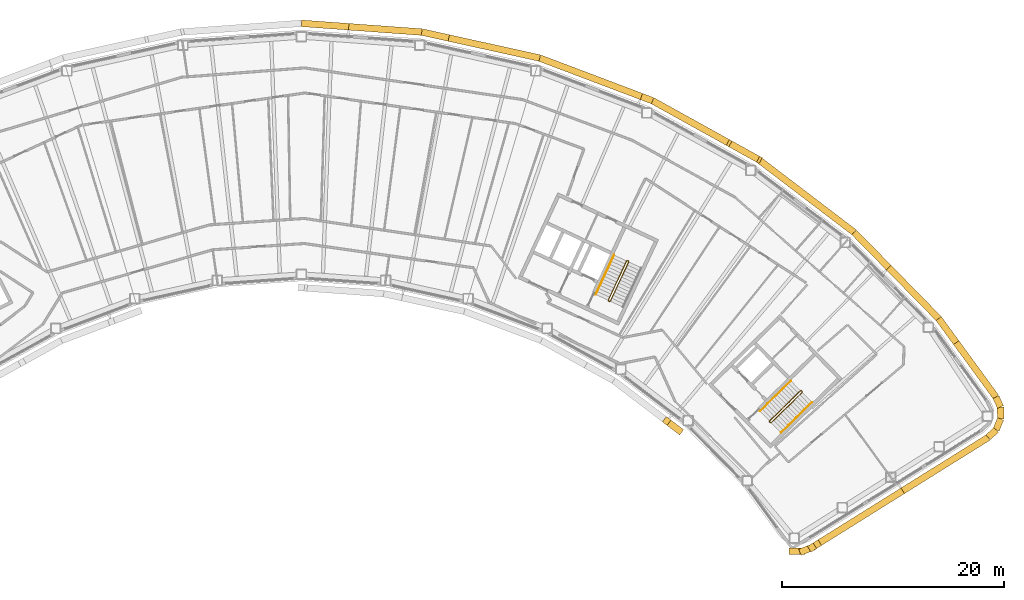
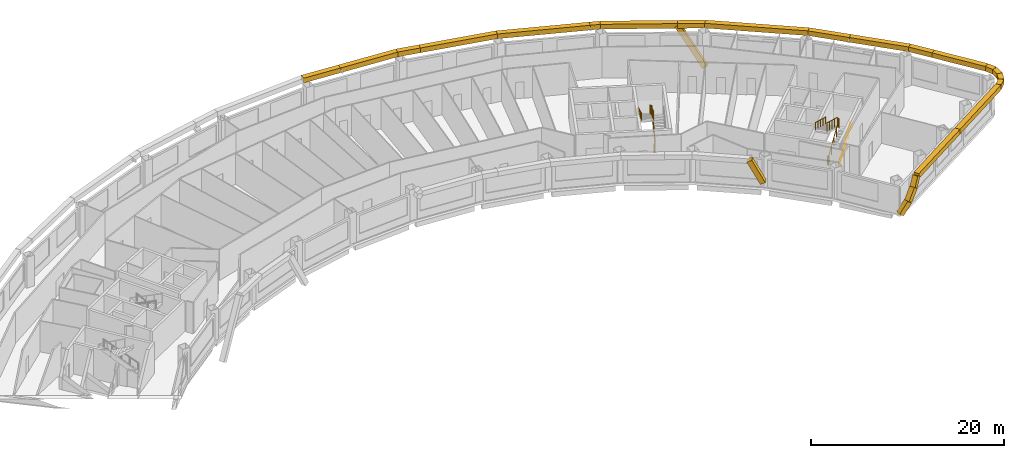
# One storey, part 16 of 17: 24 coverings, 5 railings.
"""IFC4 building model written with IfcOpenShell, lengths in metres."""

from ifc_helpers import new_model, si_unit, direction, frame, origin, origin_2d, place, context, subcontext, project, spatial, rectangle, circle, extrude, material, material_profile, profile_set, type_object, element, save


model = new_model("IFC4")

# Units and contexts
model_context = context("Model", 3, precision=1e-05, world=origin(), true_north=direction((0.0, 1.0)))
body_context = subcontext(model_context, "Body", "Model", "MODEL_VIEW")
ifc_project = project(units=[si_unit("LENGTHUNIT", "METRE"), si_unit("AREAUNIT", "SQUARE_METRE"), si_unit("VOLUMEUNIT", "CUBIC_METRE"), si_unit("PLANEANGLEUNIT", "RADIAN"), si_unit("MASSUNIT", "GRAM", prefix="KILO")], contexts=[model_context])

# Site, building, storey
site_placement = place(None, origin())
site = spatial("IfcSite", under=ifc_project, at=site_placement, CompositionType="ELEMENT")
building_placement = place(site_placement, origin())
building = spatial("IfcBuilding", under=site, at=building_placement, Name="Tuul Gate Civic Tower", CompositionType="ELEMENT")
storey_placement = place(building_placement, frame((0.0, 0.0, 222.10009765625)))
storey = spatial("IfcBuildingStorey", under=building, at=storey_placement, Name="Level 50", CompositionType="ELEMENT", Elevation=222.10009765625)

# Railings
ifc_material_1 = material(Name="Painted steel", Category="steel")
railing_type_1 = type_object("IfcRailingType", Name="Stair guard", PredefinedType="GUARDRAIL", material=ifc_material_1)
railing_1_placement = place(storey_placement, frame((48.10546875, -16.134765625, 0.0)))
element("IfcRailing", 1, at=railing_1_placement, inside=storey, type_object=railing_type_1, Name="Level 50 ST-3 stair guard 1", PredefinedType="GUARDRAIL", context=body_context, shape_type="SweptSolid", body=[
    extrude(circle(Radius=0.02392578125, at=origin_2d()), frame((0.0, 0.0, 1.076171875), z_axis=(-0.698506948293, 0.715603272202, 0.0), x_axis=(-0.715603272202, -0.698506948293, 0.0)), (0.0, 0.0, 1.0), 0.099853515625),
    extrude(circle(Radius=0.02392578125, at=origin_2d()), frame((-0.06982421875, 0.071533203125, 1.076171875), z_axis=(0.645446321009, -0.331687692741, 0.688027849131), x_axis=(0.457068866502, 0.889431307788, 0.0)), (0.0, 0.0, 1.0), 0.2177734375),
    extrude(circle(Radius=0.02392578125, at=origin_2d()), frame((0.07080078125, -0.000732421875, 1.22607421875), z_axis=(0.638731261263, 0.626133563701, 0.447190268558), x_axis=(-0.700029477518, 0.714113947914, 0.0)), (0.0, 0.0, 1.0), 4.3603515625),
    extrude(circle(Radius=0.02392578125, at=origin_2d()), frame((2.85595703125, 2.7294921875, 3.17578125), z_axis=(0.010380063588, 0.999946125689, 0.0), x_axis=(-0.999946125689, 0.010380063588, 0.0)), (0.0, 0.0, 1.0), 0.070556640625),
    extrude(circle(Radius=0.02392578125, at=origin_2d()), frame((2.856689453125, 2.800048828125, 3.17578125), z_axis=(-0.699754442181, 0.714383454909, 0.0), x_axis=(-0.714383454909, -0.699754442181, 0.0)), (0.0, 0.0, 1.0), 0.10009765625),
    extrude(circle(Radius=0.02392578125, at=origin_2d()), frame((2.78662109375, 2.87158203125, 3.17578125), z_axis=(-0.426501027327, 0.004412079593, 0.904476316574), x_axis=(-0.010344274102, -0.999946496565, 0.0)), (0.0, 0.0, 1.0), 0.166015625),
    extrude(circle(Radius=0.02392578125, at=origin_2d()), frame((2.7158203125, 2.872314453125, 3.326171875), z_axis=(-0.638731261263, -0.626133563701, 0.447190268558), x_axis=(0.700029477518, -0.714113947914, 0.0)), (0.0, 0.0, 1.0), 4.3603515625),
    extrude(circle(Radius=0.02099609375, at=origin_2d()), origin(), (0.0, 0.0, 1.0), 1.052001953125),
    extrude(circle(Radius=0.02099609375, at=origin_2d()), frame((-0.06982421875, 0.071533203125, 0.0)), (0.0, 0.0, 1.0), 1.052001953125),
    extrude(circle(Radius=0.02099609375, at=origin_2d()), frame((0.07080078125, -0.000732421875, 0.14990234375)), (0.0, 0.0, 1.0), 1.052001953125),
    extrude(circle(Radius=0.02099609375, at=origin_2d()), frame((0.76708984375, 0.681884765625, 0.637451171875)), (0.0, 0.0, 1.0), 1.052001953125),
    extrude(circle(Radius=0.02099609375, at=origin_2d()), frame((1.46337890625, 1.3642578125, 1.125)), (0.0, 0.0, 1.0), 1.052001953125),
    extrude(circle(Radius=0.02099609375, at=origin_2d()), frame((2.15966796875, 2.046875, 1.6123046875)), (0.0, 0.0, 1.0), 1.052001953125),
    extrude(circle(Radius=0.02099609375, at=origin_2d()), frame((2.85595703125, 2.7294921875, 2.099853515625)), (0.0, 0.0, 1.0), 1.052001953125),
    extrude(circle(Radius=0.02099609375, at=origin_2d()), frame((2.856689453125, 2.800048828125, 2.099853515625)), (0.0, 0.0, 1.0), 1.052001953125),
    extrude(circle(Radius=0.02099609375, at=origin_2d()), frame((2.78662109375, 2.87158203125, 2.099853515625)), (0.0, 0.0, 1.0), 1.052001953125),
    extrude(circle(Radius=0.02099609375, at=origin_2d()), frame((2.7158203125, 2.872314453125, 2.25)), (0.0, 0.0, 1.0), 1.052001953125),
    extrude(circle(Radius=0.02099609375, at=origin_2d()), frame((2.01953125, 2.189697265625, 2.737548828125)), (0.0, 0.0, 1.0), 1.052001953125),
    extrude(circle(Radius=0.02099609375, at=origin_2d()), frame((1.3232421875, 1.50732421875, 3.22509765625)), (0.0, 0.0, 1.0), 1.052001953125),
    extrude(circle(Radius=0.02099609375, at=origin_2d()), frame((0.626953125, 0.82470703125, 3.71240234375)), (0.0, 0.0, 1.0), 1.052001953125),
    extrude(circle(Radius=0.02099609375, at=origin_2d()), frame((-0.0693359375, 0.14208984375, 4.199951171875)), (0.0, 0.0, 1.0), 1.052001953125),
])
railing_2_placement = place(storey_placement, frame((33.645751953125, -5.238525390625, 0.0)))
element("IfcRailing", 2, at=railing_2_placement, inside=storey, type_object=railing_type_1, Name="Level 50 ST-4 stair guard 1", PredefinedType="GUARDRAIL", context=body_context, shape_type="SweptSolid", body=[
    extrude(circle(Radius=0.02392578125, at=origin_2d()), frame((0.0, 0.0, 1.076171875), z_axis=(-0.906307919131, 0.422617978463, 0.0), x_axis=(-0.422617978463, -0.906307919131, 0.0)), (0.0, 0.0, 1.0), 0.099853515625),
    extrude(circle(Radius=0.02392578125, at=origin_2d()), frame((-0.090576171875, 0.042236328125, 1.076171875), z_axis=(0.720735628292, -0.082946246491, 0.688229666829), x_axis=(0.114330889033, 0.993442724979, 0.0)), (0.0, 0.0, 1.0), 0.2177734375),
    extrude(circle(Radius=0.02392578125, at=origin_2d()), frame((0.06640625, 0.024169921875, 1.22607421875), z_axis=(0.377946903738, 0.810654114417, 0.447209173356), x_axis=(-0.906336612539, 0.422556439746, 0.0)), (0.0, 0.0, 1.0), 4.3603515625),
    extrude(circle(Radius=0.02392578125, at=origin_2d()), frame((1.71435546875, 3.558837890625, 3.17578125), z_axis=(-0.342020437038, 0.939692513883, 0.0), x_axis=(-0.939692513883, -0.342020437038, 0.0)), (0.0, 0.0, 1.0), 0.070556640625),
    extrude(circle(Radius=0.02392578125, at=origin_2d()), frame((1.690185546875, 3.625244140625, 3.17578125), z_axis=(-0.906307919131, 0.422617978463, 0.0), x_axis=(-0.422617978463, -0.906307919131, 0.0)), (0.0, 0.0, 1.0), 0.099853515625),
    extrude(circle(Radius=0.02392578125, at=origin_2d()), frame((1.599609375, 3.66748046875, 3.17578125), z_axis=(-0.400168791901, -0.145649670582, 0.904793408159), x_axis=(0.342020437038, -0.939692513883, 0.0)), (0.0, 0.0, 1.0), 0.166015625),
    extrude(circle(Radius=0.02392578125, at=origin_2d()), frame((1.533203125, 3.643310546875, 3.326171875), z_axis=(-0.377946903738, -0.810654114417, 0.447209173356), x_axis=(0.906336612539, -0.422556439746, 0.0)), (0.0, 0.0, 1.0), 4.3603515625),
    extrude(circle(Radius=0.02099609375, at=origin_2d()), origin(), (0.0, 0.0, 1.0), 1.052001953125),
    extrude(circle(Radius=0.02099609375, at=origin_2d()), frame((-0.090576171875, 0.042236328125, 0.0)), (0.0, 0.0, 1.0), 1.052001953125),
    extrude(circle(Radius=0.02099609375, at=origin_2d()), frame((0.06640625, 0.024169921875, 0.14990234375)), (0.0, 0.0, 1.0), 1.052001953125),
    extrude(circle(Radius=0.02099609375, at=origin_2d()), frame((0.478515625, 0.90771484375, 0.637451171875)), (0.0, 0.0, 1.0), 1.052001953125),
    extrude(circle(Radius=0.02099609375, at=origin_2d()), frame((0.890380859375, 1.79150390625, 1.125)), (0.0, 0.0, 1.0), 1.052001953125),
    extrude(circle(Radius=0.02099609375, at=origin_2d()), frame((1.30224609375, 2.67529296875, 1.6123046875)), (0.0, 0.0, 1.0), 1.052001953125),
    extrude(circle(Radius=0.02099609375, at=origin_2d()), frame((1.71435546875, 3.558837890625, 2.099853515625)), (0.0, 0.0, 1.0), 1.052001953125),
    extrude(circle(Radius=0.02099609375, at=origin_2d()), frame((1.690185546875, 3.625244140625, 2.099853515625)), (0.0, 0.0, 1.0), 1.052001953125),
    extrude(circle(Radius=0.02099609375, at=origin_2d()), frame((1.599609375, 3.66748046875, 2.099853515625)), (0.0, 0.0, 1.0), 1.052001953125),
    extrude(circle(Radius=0.02099609375, at=origin_2d()), frame((1.533203125, 3.643310546875, 2.25)), (0.0, 0.0, 1.0), 1.052001953125),
    extrude(circle(Radius=0.02099609375, at=origin_2d()), frame((1.12109375, 2.759765625, 2.737548828125)), (0.0, 0.0, 1.0), 1.052001953125),
    extrude(circle(Radius=0.02099609375, at=origin_2d()), frame((0.709228515625, 1.8759765625, 3.22509765625)), (0.0, 0.0, 1.0), 1.052001953125),
    extrude(circle(Radius=0.02099609375, at=origin_2d()), frame((0.29736328125, 0.9921875, 3.71240234375)), (0.0, 0.0, 1.0), 1.052001953125),
    extrude(circle(Radius=0.02099609375, at=origin_2d()), frame((-0.11474609375, 0.108642578125, 4.199951171875)), (0.0, 0.0, 1.0), 1.052001953125),
])
ifc_material_2 = material(Name="Painted steel", Category="steel")
railing_type_2 = type_object("IfcRailingType", Name="Stair handrail", PredefinedType="HANDRAIL", material=ifc_material_2)
railing_3_placement = place(storey_placement, frame((49.05126953125, -17.028076171875, 0.14990234375)))
element("IfcRailing", 3, at=railing_3_placement, inside=storey, type_object=railing_type_2, Name="Level 50 ST-3 stair handrail 1", PredefinedType="HANDRAIL", context=body_context, shape_type="SweptSolid", body=[
    extrude(circle(Radius=0.02392578125, at=origin_2d()), frame((0.0, 0.0, 0.8759765625), z_axis=(0.638753653487, 0.626099522554, 0.447205945863), x_axis=(-0.699997553204, 0.714145241186, 0.0)), (0.0, 0.0, 1.0), 4.3603515625),
    extrude(circle(Radius=0.02099609375, at=origin_2d()), origin(), (0.0, 0.0, 1.0), 0.851806640625),
    extrude(circle(Radius=0.02099609375, at=origin_2d()), frame((0.6962890625, 0.6826171875, 0.487548828125)), (0.0, 0.0, 1.0), 0.851806640625),
    extrude(circle(Radius=0.02099609375, at=origin_2d()), frame((1.392578125, 1.364990234375, 0.97509765625)), (0.0, 0.0, 1.0), 0.851806640625),
    extrude(circle(Radius=0.02099609375, at=origin_2d()), frame((2.0888671875, 2.04736328125, 1.46240234375)), (0.0, 0.0, 1.0), 0.851806640625),
    extrude(circle(Radius=0.02099609375, at=origin_2d()), frame((2.78515625, 2.72998046875, 1.949951171875)), (0.0, 0.0, 1.0), 0.851806640625),
])
railing_4_placement = place(storey_placement, frame((49.9462890625, -12.369873046875, 2.25)))
element("IfcRailing", 4, at=railing_4_placement, inside=storey, type_object=railing_type_2, Name="Level 50 ST-3 stair handrail 2", PredefinedType="HANDRAIL", context=body_context, shape_type="SweptSolid", body=[
    extrude(circle(Radius=0.02392578125, at=origin_2d()), frame((0.0, 0.0, 0.8759765625), z_axis=(-0.638753653487, -0.626099522554, 0.447205945863), x_axis=(0.699997553204, -0.714145241186, 0.0)), (0.0, 0.0, 1.0), 4.3603515625),
    extrude(circle(Radius=0.02099609375, at=origin_2d()), origin(), (0.0, 0.0, 1.0), 0.851806640625),
    extrude(circle(Radius=0.02099609375, at=origin_2d()), frame((-0.6962890625, -0.6826171875, 0.487548828125)), (0.0, 0.0, 1.0), 0.851806640625),
    extrude(circle(Radius=0.02099609375, at=origin_2d()), frame((-1.392578125, -1.364990234375, 0.97509765625)), (0.0, 0.0, 1.0), 0.851806640625),
    extrude(circle(Radius=0.02099609375, at=origin_2d()), frame((-2.0888671875, -2.04736328125, 1.46240234375)), (0.0, 0.0, 1.0), 0.851806640625),
    extrude(circle(Radius=0.02099609375, at=origin_2d()), frame((-2.78515625, -2.72998046875, 1.949951171875)), (0.0, 0.0, 1.0), 0.851806640625),
])
railing_5_placement = place(storey_placement, frame((34.046142578125, -1.06689453125, 2.25)))
element("IfcRailing", 5, at=railing_5_placement, inside=storey, type_object=railing_type_2, Name="Level 50 ST-4 stair handrail 2", PredefinedType="HANDRAIL", context=body_context, shape_type="SweptSolid", body=[
    extrude(circle(Radius=0.02392578125, at=origin_2d()), frame((0.0, 0.0, 0.8759765625), z_axis=(-0.377994896215, -0.810636958585, 0.447199709091), x_axis=(0.906312636903, -0.422607861012, 0.0)), (0.0, 0.0, 1.0), 4.3603515625),
    extrude(circle(Radius=0.02099609375, at=origin_2d()), origin(), (0.0, 0.0, 1.0), 0.851806640625),
    extrude(circle(Radius=0.02099609375, at=origin_2d()), frame((-0.412109375, -0.8837890625, 0.487548828125)), (0.0, 0.0, 1.0), 0.851806640625),
    extrude(circle(Radius=0.02099609375, at=origin_2d()), frame((-0.82421875, -1.767333984375, 0.97509765625)), (0.0, 0.0, 1.0), 0.851806640625),
    extrude(circle(Radius=0.02099609375, at=origin_2d()), frame((-1.236083984375, -2.65087890625, 1.46240234375)), (0.0, 0.0, 1.0), 0.851806640625),
    extrude(circle(Radius=0.02099609375, at=origin_2d()), frame((-1.648193359375, -3.53466796875, 1.949951171875)), (0.0, 0.0, 1.0), 0.851806640625),
])

# Coverings
ifc_material_3 = material(Name="Terracotta baguette", Category="masonry")
ifc_material_profile = material_profile(ifc_material_3, rectangle(XDim=0.60009765625, YDim=0.60009765625, at=origin_2d()), Name="Terracotta baguette screen frame")
ifc_profile_set = profile_set([ifc_material_profile], Name="Terracotta baguette")
covering_type = type_object("IfcCoveringType", Name="Terracotta baguette screen frame", PredefinedType="CLADDING", material=ifc_profile_set)
covering_1_placement = place(storey_placement, frame((64.810302734375, -8.93701171875, 3.849853515625), z_axis=(-0.589822441222, 0.807532963928, 0.0), x_axis=(-0.807532963928, -0.589822441222, 0.0)))
element("IfcCovering", 6, at=covering_1_placement, inside=storey, type_object=covering_type, Name="Baguette 23", PredefinedType="CLADDING", context=body_context, shape_type="SweptSolid", body=[
    extrude(rectangle(XDim=0.60009765625, YDim=0.60009765625, at=origin_2d()), origin(), (0.0, 0.0, 1.0), 2.68017578125),
])
covering_2_placement = place(storey_placement, frame((63.2294921875, -6.772705078125, 3.849853515625), z_axis=(-0.700001676443, 0.714141199607, 0.0), x_axis=(-0.714141199607, -0.700001676443, 0.0)))
element("IfcCovering", 7, at=covering_2_placement, inside=storey, type_object=covering_type, Name="Baguette 24", PredefinedType="CLADDING", context=body_context, shape_type="SweptSolid", body=[
    extrude(rectangle(XDim=0.60009765625, YDim=0.60009765625, at=origin_2d()), origin(), (0.0, 0.0, 1.0), 6.406005859375),
])
covering_3_placement = place(storey_placement, frame((47.0, 7.550537109375, -1.423828125), z_axis=(-0.415569789545, 0.230392347546, 0.879898355613), x_axis=(-0.484871200152, -0.874585570006, 0.0)))
element("IfcCovering", 8, at=covering_3_placement, inside=storey, type_object=covering_type, Name="Baguette 40", PredefinedType="CLADDING", context=body_context, shape_type="SweptSolid", body=[
    extrude(rectangle(XDim=0.60009765625, YDim=0.60009765625, at=origin_2d()), origin(), (0.0, 0.0, 1.0), 5.993408203125),
])
covering_4_placement = place(storey_placement, frame((44.50927734375, 8.931396484375, 3.849853515625), z_axis=(-0.874641739175, 0.484769871272, 0.0), x_axis=(-0.484769871272, -0.874641739175, 0.0)))
element("IfcCovering", 9, at=covering_4_placement, inside=storey, type_object=covering_type, Name="Baguette 47", PredefinedType="CLADDING", context=body_context, shape_type="SweptSolid", body=[
    extrude(rectangle(XDim=0.60009765625, YDim=0.60009765625, at=origin_2d()), origin(), (0.0, 0.0, 1.0), 8.003662109375),
])
covering_5_placement = place(storey_placement, frame((37.509033203125, 12.811279296875, 3.849853515625), z_axis=(-0.935396556142, 0.353600456388, 0.0), x_axis=(-0.353600456388, -0.935396556142, 0.0)))
element("IfcCovering", 10, at=covering_5_placement, inside=storey, type_object=covering_type, Name="Baguette 48", PredefinedType="CLADDING", context=body_context, shape_type="SweptSolid", body=[
    extrude(rectangle(XDim=0.60009765625, YDim=0.60009765625, at=origin_2d()), origin(), (0.0, 0.0, 1.0), 1.06884765625),
])
covering_6_placement = place(storey_placement, frame((19.192626953125, 18.448486328125, 3.849853515625), z_axis=(-0.976559571442, 0.215247307589, 0.0), x_axis=(-0.215247307589, -0.976559571442, 0.0)))
element("IfcCovering", 11, at=covering_6_placement, inside=storey, type_object=covering_type, Name="Baguette 65", PredefinedType="CLADDING", context=body_context, shape_type="SweptSolid", body=[
    extrude(rectangle(XDim=0.60009765625, YDim=0.60009765625, at=origin_2d()), origin(), (0.0, 0.0, 1.0), 2.488525390625),
])
covering_7_placement = place(storey_placement, frame((16.762451171875, 18.984130859375, 3.849853515625), z_axis=(-0.997382277304, 0.072309009954, 0.0), x_axis=(-0.072309009954, -0.997382277304, 0.0)))
element("IfcCovering", 12, at=covering_7_placement, inside=storey, type_object=covering_type, Name="Baguette 66", PredefinedType="CLADDING", context=body_context, shape_type="SweptSolid", body=[
    extrude(rectangle(XDim=0.60009765625, YDim=0.60009765625, at=origin_2d()), origin(), (0.0, 0.0, 1.0), 6.583984375),
])
covering_8_placement = place(storey_placement, frame((38.781005859375, -15.979736328125, 3.849853515625), z_axis=(0.370846574446, -0.282423796319, -0.884708775527), x_axis=(0.605872211995, 0.79556197919, 0.0)))
element("IfcCovering", 13, at=covering_8_placement, inside=storey, type_object=covering_type, Name="Baguette 246", PredefinedType="CLADDING", context=body_context, shape_type="SweptSolid", body=[
    extrude(rectangle(XDim=0.60009765625, YDim=0.60009765625, at=origin_2d()), origin(), (0.0, 0.0, 1.0), 3.04541015625),
])
covering_9_placement = place(storey_placement, frame((50.010498046875, -27.692626953125, 0.177734375), z_axis=(0.602680418248, -0.001662775169, 0.797980919972), x_axis=(0.002758956141, 0.999996194073, 0.0)))
element("IfcCovering", 14, at=covering_9_placement, inside=storey, type_object=covering_type, Name="Baguette 267", PredefinedType="CLADDING", context=body_context, shape_type="SweptSolid", body=[
    extrude(rectangle(XDim=0.60009765625, YDim=0.60009765625, at=origin_2d()), origin(), (0.0, 0.0, 1.0), 1.614990234375),
])
covering_10_placement = place(storey_placement, frame((50.98388671875, -27.6953125, 1.466552734375), z_axis=(0.534095784882, 0.207893679057, 0.819464404828), x_axis=(-0.362733847194, 0.93189278144, 0.0)))
element("IfcCovering", 15, at=covering_10_placement, inside=storey, type_object=covering_type, Name="Baguette 268", PredefinedType="CLADDING", context=body_context, shape_type="SweptSolid", body=[
    extrude(rectangle(XDim=0.60009765625, YDim=0.60009765625, at=origin_2d()), origin(), (0.0, 0.0, 1.0), 1.572509765625),
])
covering_11_placement = place(storey_placement, frame((51.82373046875, -27.368408203125, 2.755126953125), z_axis=(0.402262870713, 0.25148791478, 0.880305862508), x_axis=(-0.530110528821, 0.847928550783, 0.0)))
element("IfcCovering", 16, at=covering_11_placement, inside=storey, type_object=covering_type, Name="Baguette 269", PredefinedType="CLADDING", context=body_context, shape_type="SweptSolid", body=[
    extrude(rectangle(XDim=0.60009765625, YDim=0.60009765625, at=origin_2d()), origin(), (0.0, 0.0, 1.0), 1.24365234375),
])
for number, where, z_axis, x_axis, name in (
    (17, (52.323974609375, -27.0556640625, 3.849853515625), (0.848051326016, 0.529914095342, 0.0), (-0.529914095342, 0.848051326016, 0.0), "Baguette 283"),
    (18, (60.00146484375, -22.25830078125, 3.849853515625), (0.848063445072, 0.529894700042, 0.0), (-0.529894700042, 0.848063445072, 0.0), "Baguette 285"),
):
    element("IfcCovering", number, at=place(storey_placement, frame(where, z_axis=z_axis, x_axis=x_axis)), inside=storey, type_object=covering_type, Name=name, PredefinedType="CLADDING", context=body_context, shape_type="SweptSolid", body=[
        extrude(rectangle(XDim=0.60009765625, YDim=0.60009765625, at=origin_2d()), origin(), (0.0, 0.0, 1.0), 9.052978515625),
    ])
covering_12_placement = place(storey_placement, frame((67.678955078125, -17.461181640625, 3.849853515625), z_axis=(0.72214250975, 0.691744313755, 0.0), x_axis=(-0.691744313755, 0.72214250975, 0.0)))
element("IfcCovering", 19, at=covering_12_placement, inside=storey, type_object=covering_type, Name="Baguette 286", PredefinedType="CLADDING", context=body_context, shape_type="SweptSolid", body=[
    extrude(rectangle(XDim=0.60009765625, YDim=0.60009765625, at=origin_2d()), origin(), (0.0, 0.0, 1.0), 0.98779296875),
])
covering_13_placement = place(storey_placement, frame((68.392333984375, -16.77783203125, 3.849853515625), z_axis=(0.386870941786, 0.922133870109, 0.0), x_axis=(-0.922133870109, 0.386870941786, 0.0)))
element("IfcCovering", 20, at=covering_13_placement, inside=storey, type_object=covering_type, Name="Baguette 287", PredefinedType="CLADDING", context=body_context, shape_type="SweptSolid", body=[
    extrude(rectangle(XDim=0.60009765625, YDim=0.60009765625, at=origin_2d()), origin(), (0.0, 0.0, 1.0), 1.06787109375),
])
covering_14_placement = place(storey_placement, frame((68.805419921875, -15.793212890625, 3.849853515625), z_axis=(-0.01602358356, 0.999871614143, 0.0), x_axis=(-0.999871614143, -0.01602358356, 0.0)))
element("IfcCovering", 21, at=covering_14_placement, inside=storey, type_object=covering_type, Name="Baguette 288", PredefinedType="CLADDING", context=body_context, shape_type="SweptSolid", body=[
    extrude(rectangle(XDim=0.60009765625, YDim=0.60009765625, at=origin_2d()), origin(), (0.0, 0.0, 1.0), 1.066650390625),
])
covering_15_placement = place(storey_placement, frame((68.788330078125, -14.726806640625, 3.849853515625), z_axis=(-0.411884607508, 0.911236012292, 0.0), x_axis=(-0.911236012292, -0.411884607508, 0.0)))
element("IfcCovering", 22, at=covering_15_placement, inside=storey, type_object=covering_type, Name="Baguette 289", PredefinedType="CLADDING", context=body_context, shape_type="SweptSolid", body=[
    extrude(rectangle(XDim=0.60009765625, YDim=0.60009765625, at=origin_2d()), origin(), (0.0, 0.0, 1.0), 0.988037109375),
])
covering_16_placement = place(storey_placement, frame((68.38134765625, -13.826416015625, 3.849853515625), z_axis=(-0.58980325004, 0.807546980827, 0.0), x_axis=(-0.807546980827, -0.58980325004, 0.0)))
element("IfcCovering", 23, at=covering_16_placement, inside=storey, type_object=covering_type, Name="Baguette 290", PredefinedType="CLADDING", context=body_context, shape_type="SweptSolid", body=[
    extrude(rectangle(XDim=0.60009765625, YDim=0.60009765625, at=origin_2d()), origin(), (0.0, 0.0, 1.0), 6.0546875),
])
covering_17_placement = place(storey_placement, frame((58.745361328125, -2.197998046875, 3.849853515625), z_axis=(-0.699986848634, 0.714155733534, 0.0), x_axis=(-0.714155733534, -0.699986848634, 0.0)))
element("IfcCovering", 24, at=covering_17_placement, inside=storey, type_object=covering_type, Name="Baguette 291", PredefinedType="CLADDING", context=body_context, shape_type="SweptSolid", body=[
    extrude(rectangle(XDim=0.60009765625, YDim=0.60009765625, at=origin_2d()), origin(), (0.0, 0.0, 1.0), 4.445556640625),
])
covering_18_placement = place(storey_placement, frame((55.633544921875, 0.976806640625, 3.849853515625), z_axis=(-0.795618643442, 0.605797799771, 0.0), x_axis=(-0.605797799771, -0.795618643442, 0.0)))
element("IfcCovering", 25, at=covering_18_placement, inside=storey, type_object=covering_type, Name="Baguette 292", PredefinedType="CLADDING", context=body_context, shape_type="SweptSolid", body=[
    extrude(rectangle(XDim=0.60009765625, YDim=0.60009765625, at=origin_2d()), origin(), (0.0, 0.0, 1.0), 10.851318359375),
])
covering_19_placement = place(storey_placement, frame((47.0, 7.550537109375, 3.849853515625), z_axis=(-0.874585570006, 0.484871200152, 0.0), x_axis=(-0.484871200152, -0.874585570006, 0.0)))
element("IfcCovering", 26, at=covering_19_placement, inside=storey, type_object=covering_type, Name="Baguette 293", PredefinedType="CLADDING", context=body_context, shape_type="SweptSolid", body=[
    extrude(rectangle(XDim=0.60009765625, YDim=0.60009765625, at=origin_2d()), origin(), (0.0, 0.0, 1.0), 2.847900390625),
])
covering_20_placement = place(storey_placement, frame((36.50927734375, 13.189208984375, 3.849853515625), z_axis=(-0.935375980496, 0.353654881361, 0.0), x_axis=(-0.353654881361, -0.935375980496, 0.0)))
element("IfcCovering", 27, at=covering_20_placement, inside=storey, type_object=covering_type, Name="Baguette 297", PredefinedType="CLADDING", context=body_context, shape_type="SweptSolid", body=[
    extrude(rectangle(XDim=0.60009765625, YDim=0.60009765625, at=origin_2d()), origin(), (0.0, 0.0, 1.0), 9.781982421875),
])
covering_21_placement = place(storey_placement, frame((27.359375, 16.648681640625, 3.849853515625), z_axis=(-0.976566109565, 0.215217642513, 0.0), x_axis=(-0.215217642513, -0.976566109565, 0.0)))
element("IfcCovering", 28, at=covering_21_placement, inside=storey, type_object=covering_type, Name="Baguette 298", PredefinedType="CLADDING", context=body_context, shape_type="SweptSolid", body=[
    extrude(rectangle(XDim=0.60009765625, YDim=0.60009765625, at=origin_2d()), origin(), (0.0, 0.0, 1.0), 8.36279296875),
])
covering_22_placement = place(storey_placement, frame((10.19580078125, 19.460205078125, 3.849853515625), z_axis=(-0.99737731895, 0.072377369692, 0.0), x_axis=(-0.072377369692, -0.99737731895, 0.0)))
element("IfcCovering", 29, at=covering_22_placement, inside=storey, type_object=covering_type, Name="Baguette 305", PredefinedType="CLADDING", context=body_context, shape_type="SweptSolid", body=[
    extrude(rectangle(XDim=0.60009765625, YDim=0.60009765625, at=origin_2d()), origin(), (0.0, 0.0, 1.0), 4.26708984375),
])

save(model, "model.ifc")
